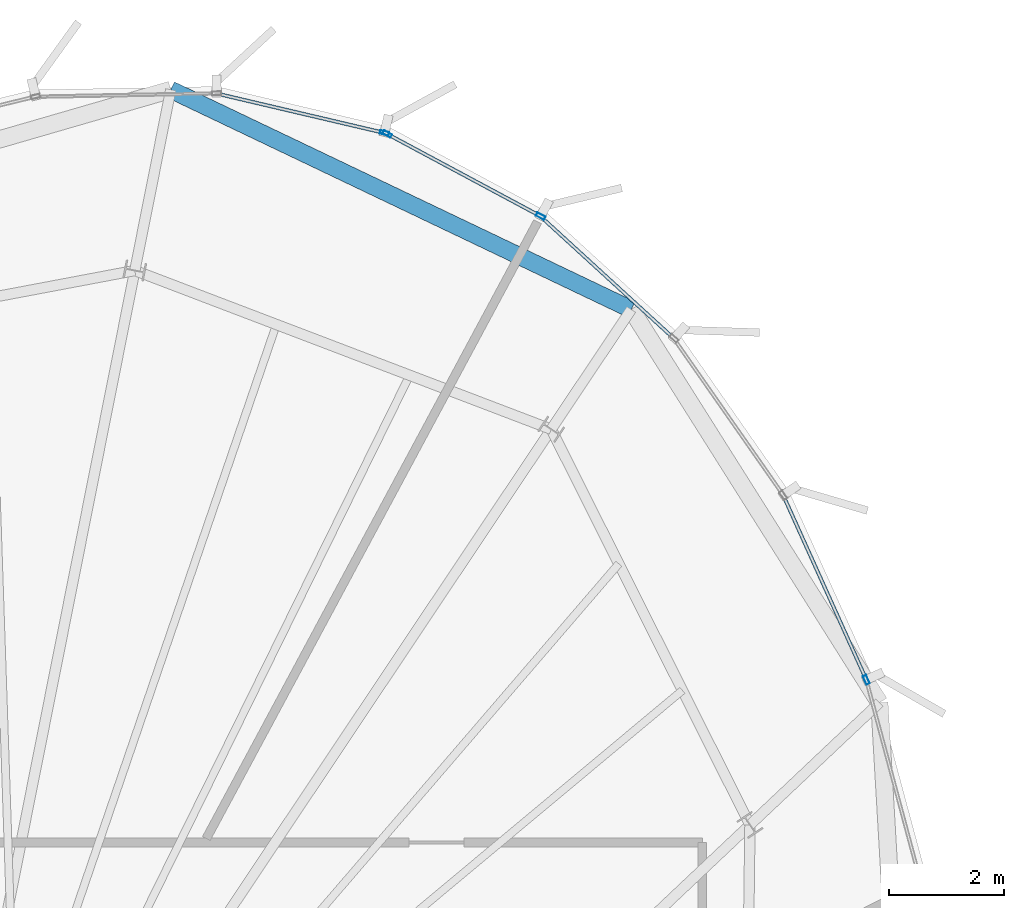
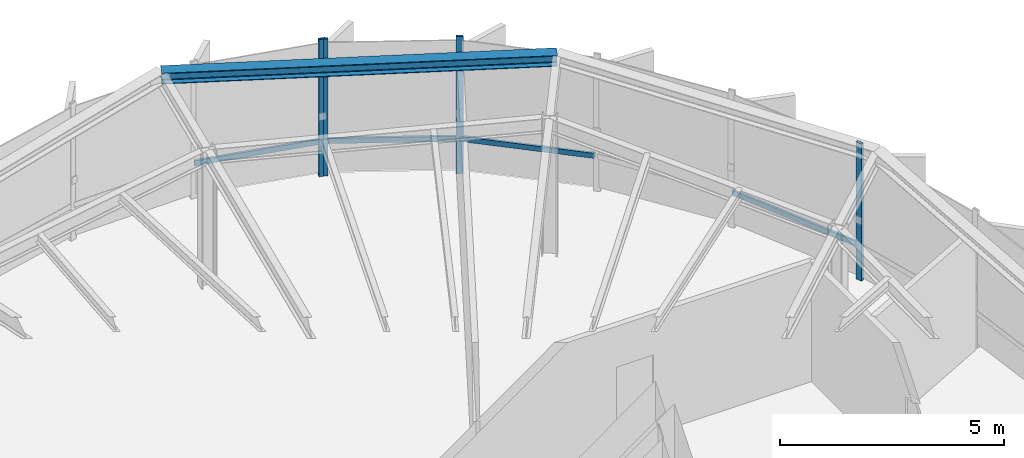
# One storey, part 19 of 27: 8 members, 1 beam, 2 elements without a shape of their own.
"""IFC4 building model written with IfcOpenShell, lengths in metres."""

from ifc_helpers import new_model, si_unit, direction, frame, origin, origin_2d, place, context, subcontext, project, spatial, hollow_rectangle, i_section, extrude, source, transform, mapped, material, layer, layer_set, material_profile, profile_set, type_object, element, aggregate, save


model = new_model("IFC4")

# Units and contexts
model_context = context("Model", 3, precision=1e-05, world=origin(), true_north=direction((0.0, 1.0)))
body_context = subcontext(model_context, "Body", "Model", "MODEL_VIEW")
ifc_project = project(units=[si_unit("LENGTHUNIT", "METRE"), si_unit("AREAUNIT", "SQUARE_METRE"), si_unit("VOLUMEUNIT", "CUBIC_METRE"), si_unit("PLANEANGLEUNIT", "RADIAN"), si_unit("MASSUNIT", "GRAM", prefix="KILO"), si_unit("THERMODYNAMICTEMPERATUREUNIT", "KELVIN")], contexts=[model_context])

# Site, building, storey
site_placement = place(None, origin())
site = spatial("IfcSite", under=ifc_project, at=site_placement, CompositionType="ELEMENT")
building_placement = place(site_placement, origin())
building = spatial("IfcBuilding", under=site, at=building_placement, Name="Kethvar Cultural Tower", CompositionType="ELEMENT")
storey_placement = place(building_placement, frame((0.0, 0.0, 312.300048828125)))
storey = spatial("IfcBuildingStorey", under=building, at=storey_placement, Name="L83", CompositionType="ELEMENT", Elevation=312.300048828125)

# Beam
ifc_material_1 = material(Name="Steel S355J2", Category="steel")
ifc_material_profile_1 = material_profile(ifc_material_1, i_section(OverallWidth=0.300048828125, OverallDepth=0.300048828125, WebThickness=0.010986328125, FlangeThickness=0.01904296875, FilletRadius=0.027099609375, at=origin_2d()), Name="Steel S355J2 — HEB300")
ifc_profile_set_1 = profile_set([ifc_material_profile_1], Name="Steel S355J2 — HEB300")
beam_type = type_object("IfcBeamType", Name="BM-SP300", PredefinedType="SPANDREL", material=ifc_profile_set_1)
shared_shape_1 = source(origin(), body_context, "Body", "SweptSolid", [
    extrude(i_section(OverallWidth=0.300048828125, OverallDepth=0.300048828125, WebThickness=0.010986328125, FlangeThickness=0.01904296875, FilletRadius=0.027099609375, at=origin_2d()), origin(), (0.0, 0.0, 1.0), 8.859130859375),
])
beam_placement = place(storey_placement, frame((59.26513671875, 46.455078125, 3.5830078125), z_axis=(-0.902531185974, 0.430624498077, 0.0), x_axis=(-0.430624498077, -0.902531185974, 0.0)))
element("IfcBeam", 1, at=beam_placement, inside=storey, type_object=beam_type, Name="L83 Perimeter Spandrel Beam SP-03", PredefinedType="SPANDREL", context=body_context, shape_type="MappedRepresentation", body=[
    mapped(shared_shape_1, transform((0.0, 0.0, 0.0), scale=1.0)),
])

# Curtain wall, member
ifc_material_2 = material(Name="Aluminium 6063-T6", Category="aluminium")
ifc_layer = layer(ifc_material_2, 0.179931640625, Name="Aluminium 6063-T6", Category="aluminium")
ifc_layer_set = layer_set([ifc_layer], Name="Aluminium 6063-T6 (180 mm)")
curtain_wall_type = type_object("IfcCurtainWallType", Name="CW-SYS-06-CROWN", PredefinedType="NOTDEFINED", material=ifc_layer_set)
curtain_wall_1_placement = place(storey_placement, origin())
curtain_wall_1 = element("IfcCurtainWall", 2, at=curtain_wall_1_placement, inside=storey, type_object=curtain_wall_type, Name="L83 Curtain Wall Run 01", PredefinedType="NOTDEFINED")
ifc_material_profile_2 = material_profile(ifc_material_2, hollow_rectangle(XDim=0.06494140625, YDim=0.159912109375, WallThickness=0.0048828125, at=origin_2d()), Name="Aluminium 6063-T6 — RHS160x65x5")
ifc_profile_set_2 = profile_set([ifc_material_profile_2], Name="Aluminium 6063-T6 — RHS160x65x5")
member_type_1 = type_object("IfcMemberType", Name="CW-SYS-06-CROWN-MUL", PredefinedType="MULLION", material=ifc_profile_set_2)
shared_shape_2 = source(origin(), body_context, "Body", "SweptSolid", [
    extrude(hollow_rectangle(XDim=0.06494140625, YDim=0.159912109375, WallThickness=0.0048828125, at=origin_2d()), origin(), (0.0, 0.0, 1.0), 3.73486328125),
])
member_1_placement = place(storey_placement, frame((54.97900390625, 49.519775390625, 0.0), z_axis=(0.0, 0.0, 1.0), x_axis=(-0.228537779632, -0.973535044711, 0.0)))
member_1 = element("IfcMember", 3, at=member_1_placement, type_object=member_type_1, Name="CW-L83-R01 Mullion 1", PredefinedType="MULLION", context=body_context, shape_type="MappedRepresentation", body=[
    mapped(shared_shape_2, transform((0.0, 0.0, 0.0), scale=1.0)),
])

# Curtain wall, members
curtain_wall_2_placement = place(storey_placement, origin())
curtain_wall_2 = element("IfcCurtainWall", 4, at=curtain_wall_2_placement, inside=storey, type_object=curtain_wall_type, Name="L83 Curtain Wall Run 06", PredefinedType="NOTDEFINED")
member_2_placement = place(storey_placement, frame((63.345947265625, 40.025390625, 0.0), z_axis=(0.0, 0.0, 1.0), x_axis=(-0.911769211834, -0.410702939301, 0.0)))
member_2 = element("IfcMember", 5, at=member_2_placement, type_object=member_type_1, Name="CW-L83-R06 Mullion 3", PredefinedType="MULLION", context=body_context, shape_type="MappedRepresentation", body=[
    mapped(shared_shape_2, transform((0.0, 0.0, 0.0), scale=1.0)),
])
member_3_placement = place(storey_placement, frame((57.690673828125, 48.07421875, 0.0), z_axis=(0.0, 0.0, 1.0), x_axis=(-0.472381558045, -0.881394159057, 0.0)))
member_3 = element("IfcMember", 6, at=member_3_placement, type_object=member_type_1, Name="CW-L83-R06 Mullion 6", PredefinedType="MULLION", context=body_context, shape_type="MappedRepresentation", body=[
    mapped(shared_shape_2, transform((0.0, 0.0, 0.0), scale=1.0)),
])
member_4_placement = place(storey_placement, frame((55.0283203125, 49.501220703125, 0.0), z_axis=(0.0, 0.0, 1.0), x_axis=(-0.472381558045, -0.881394159057, 0.0)))
member_4 = element("IfcMember", 7, at=member_4_placement, type_object=member_type_1, Name="CW-L83-R06 Mullion 7", PredefinedType="MULLION", context=body_context, shape_type="MappedRepresentation", body=[
    mapped(shared_shape_2, transform((0.0, 0.0, 0.0), scale=1.0)),
])

# Member
ifc_material_profile_3 = material_profile(ifc_material_2, hollow_rectangle(XDim=0.06005859375, YDim=0.139892578125, WallThickness=0.0048828125, at=origin_2d()), Name="Aluminium 6063-T6 — RHS140x60x5")
ifc_profile_set_3 = profile_set([ifc_material_profile_3], Name="Aluminium 6063-T6 — RHS140x60x5")
member_type_2 = type_object("IfcMemberType", Name="CW-SYS-06-CROWN-TRN", PredefinedType="USERDEFINED", material=ifc_profile_set_3)
shared_shape_3 = source(origin(), body_context, "Body", "SweptSolid", [
    extrude(hollow_rectangle(XDim=0.06005859375, YDim=0.139892578125, WallThickness=0.0048828125, at=origin_2d()), origin(), (0.0, 0.0, 1.0), 2.96923828125),
])
member_5_placement = place(storey_placement, frame((54.974609375, 49.52099609375, 0.949951171875), z_axis=(-0.973543188736, 0.228503084586, 0.0), x_axis=(-0.228503084586, -0.973543188736, 0.0)))
member_5 = element("IfcMember", 8, at=member_5_placement, type_object=member_type_2, Name="CW-L83-R01 Transom 1", ObjectType="TRANSOM", PredefinedType="USERDEFINED", context=body_context, shape_type="MappedRepresentation", body=[
    mapped(shared_shape_3, transform((0.0, 0.0, 0.0), scale=1.0)),
])

aggregate(curtain_wall_1, [member_1, member_5])

member_6_placement = place(storey_placement, frame((57.6494140625, 48.096435546875, 0.949951171875), z_axis=(-0.881406620756, 0.47235830562, 0.0), x_axis=(-0.47235830562, -0.881406620756, 0.0)))
member_6 = element("IfcMember", 9, at=member_6_placement, type_object=member_type_2, Name="CW-L83-R06 Transom 6", ObjectType="TRANSOM", PredefinedType="USERDEFINED", context=body_context, shape_type="MappedRepresentation", body=[
    mapped(shared_shape_3, transform((0.0, 0.0, 0.0), scale=1.0)),
])

shared_shape_4 = source(origin(), body_context, "Body", "SweptSolid", [
    extrude(hollow_rectangle(XDim=0.06005859375, YDim=0.139892578125, WallThickness=0.0048828125, at=origin_2d()), origin(), (0.0, 0.0, 1.0), 3.076904296875),
])
member_7_placement = place(storey_placement, frame((59.970947265625, 45.98291015625, 0.949951171875), z_axis=(-0.737753281994, 0.675070436997, 0.0), x_axis=(-0.675070436997, -0.737753281994, 0.0)))
member_7 = element("IfcMember", 10, at=member_7_placement, type_object=member_type_2, Name="CW-L83-R06 Transom 5", ObjectType="TRANSOM", PredefinedType="USERDEFINED", context=body_context, shape_type="MappedRepresentation", body=[
    mapped(shared_shape_4, transform((0.0, 0.0, 0.0), scale=1.0)),
])

shared_shape_5 = source(origin(), body_context, "Body", "SweptSolid", [
    extrude(hollow_rectangle(XDim=0.06005859375, YDim=0.139892578125, WallThickness=0.0048828125, at=origin_2d()), origin(), (0.0, 0.0, 1.0), 3.44091796875),
])
member_8_placement = place(storey_placement, frame((63.326904296875, 40.068115234375, 0.949951171875), z_axis=(-0.410748171937, 0.911748835618, 0.0), x_axis=(-0.911748835618, -0.410748171937, 0.0)))
member_8 = element("IfcMember", 11, at=member_8_placement, type_object=member_type_2, Name="CW-L83-R06 Transom 3", ObjectType="TRANSOM", PredefinedType="USERDEFINED", context=body_context, shape_type="MappedRepresentation", body=[
    mapped(shared_shape_5, transform((0.0, 0.0, 0.0), scale=1.0)),
])

aggregate(curtain_wall_2, [member_2, member_3, member_4, member_8, member_7, member_6])

save(model, "model.ifc")
